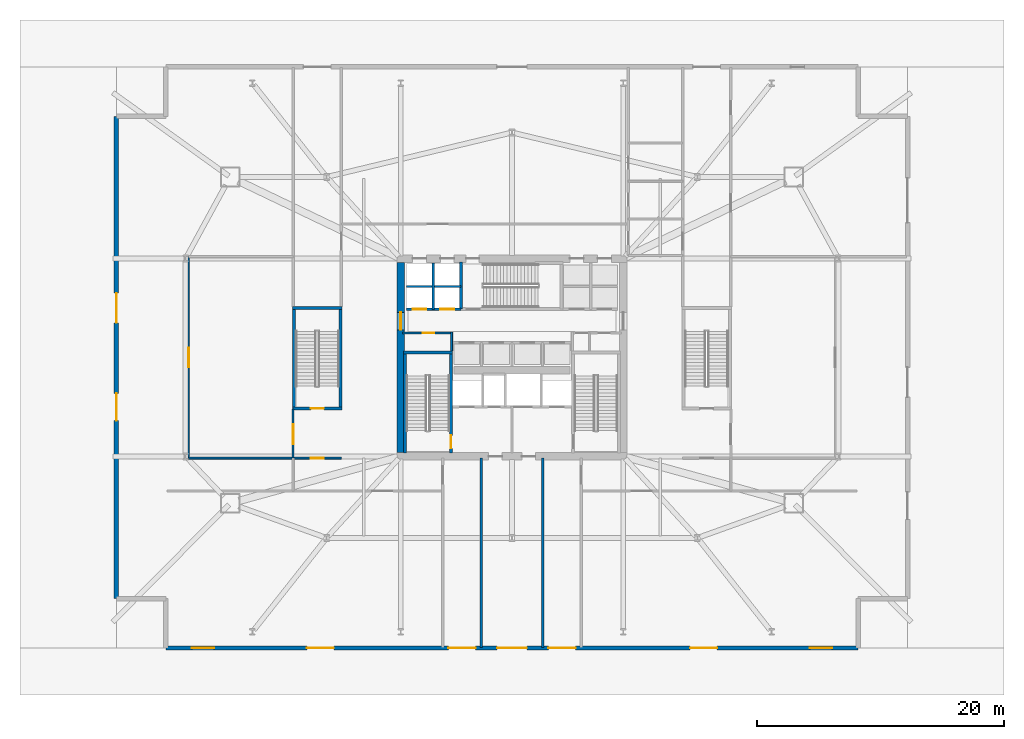
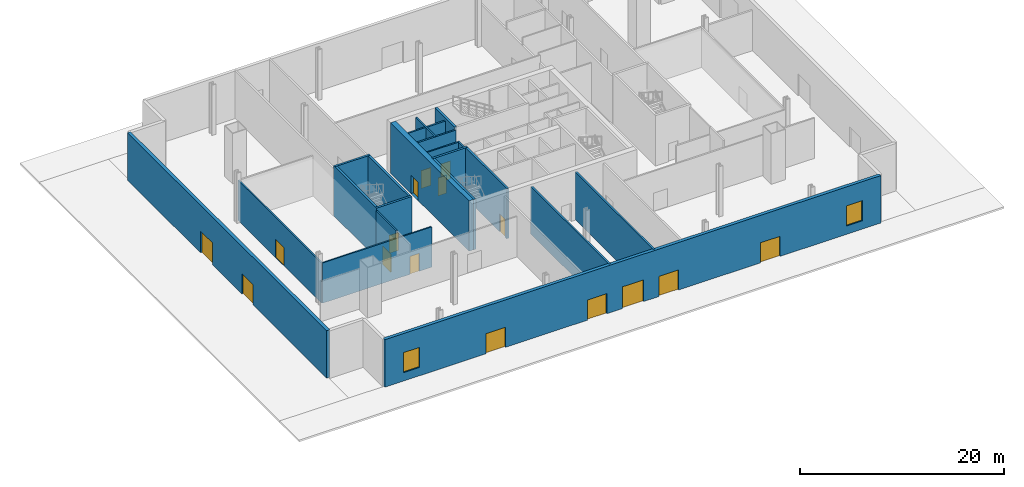
# One storey, part 3 of 10: 21 walls, 16 doors, 2 windows, 18 openings.
"""IFC4 building model written with IfcOpenShell, lengths in metres."""

from ifc_helpers import new_model, si_unit, direction, frame, frame_2d, origin, place, context, subcontext, project, spatial, rectangle, extrude, material, layer, layer_set, type_object, element, fill, save


model = new_model("IFC4")

# Units and contexts
model_context = context("Model", 3, precision=1e-05, world=origin(), true_north=direction((0.0, 1.0)))
body_context = subcontext(model_context, "Body", "Model", "MODEL_VIEW")
ifc_project = project(units=[si_unit("LENGTHUNIT", "METRE"), si_unit("AREAUNIT", "SQUARE_METRE"), si_unit("VOLUMEUNIT", "CUBIC_METRE"), si_unit("PLANEANGLEUNIT", "RADIAN"), si_unit("MASSUNIT", "GRAM", prefix="KILO")], contexts=[model_context])

# Site, building, storey
site_placement = place(None, origin())
site = spatial("IfcSite", under=ifc_project, at=site_placement, CompositionType="ELEMENT")
building_placement = place(site_placement, origin())
building = spatial("IfcBuilding", under=site, at=building_placement, Name="Haldenkirk Collegiate Tower", CompositionType="ELEMENT")
storey_placement = place(building_placement, origin())
storey = spatial("IfcBuildingStorey", under=building, at=storey_placement, Name="L00", CompositionType="ELEMENT", Elevation=0.0)

# Wall, opening, door
ifc_material_1 = material(Name="Concrete f'c 70 MPa", Category="concrete")
ifc_layer_1 = layer(ifc_material_1, 0.60009765625)
ifc_layer_set_1 = layer_set([ifc_layer_1], Name="Concrete f'c 70 MPa")
wall_type_1 = type_object("IfcWallType", Name="WL-CORE-600", PredefinedType="SHEAR", material=ifc_layer_set_1)
wall_1_placement = place(storey_placement, frame((27.0, 18.300048828125, 0.0), z_axis=(0.0, 0.0, 1.0), x_axis=(0.0, 1.0, 0.0)))
wall_1 = element("IfcWall", 1, at=wall_1_placement, inside=storey, type_object=wall_type_1, Name="L00 central core shear wall W", PredefinedType="SHEAR", context=body_context, shape_type="SweptSolid", body=[
    extrude(rectangle(XDim=15.39990234375, YDim=0.60009765625, at=frame_2d((7.699951171875, 0.0))), origin(), (0.0, 0.0, 1.0), 6.0),
])
opening_1_placement = place(wall_1_placement, frame((9.93994140625, 0.0, 0.0)))
opening_1 = element("IfcOpeningElement", 2, at=opening_1_placement, cuts=wall_1, Name="Opening D-03", PredefinedType="OPENING", context=body_context, shape_type="SweptSolid", body=[
    extrude(rectangle(XDim=1.39990234375, YDim=2.199951171875, at=frame_2d((0.699951171875, 1.10009765625))), frame((0.0, 0.31005859375, 0.0), z_axis=(0.0, -1.0, 0.0), x_axis=(1.0, 0.0, 0.0)), (0.0, 0.0, 1.0), 0.6201171875),
])
ifc_material_2 = material(Name="Galvanized fire-rated hollow steel door", Category="steel")
ifc_layer_2 = layer(ifc_material_2, 0.06005859375)
ifc_layer_set_2 = layer_set([ifc_layer_2], Name="Galvanized fire-rated hollow steel door")
door_type_1 = type_object("IfcDoorType", Name="DR-LOBBY-FD90-1400", OperationType="NOTDEFINED", PredefinedType="DOOR", material=ifc_layer_set_2)
door_1_placement = place(opening_1_placement, origin())
door_1 = element("IfcDoor", 3, at=door_1_placement, inside=storey, type_object=door_type_1, Name="L00 west lift lobby portal", OperationType="DOUBLE_DOOR_SINGLE_SWING", OverallHeight=2.199951171875, OverallWidth=1.39990234375, PredefinedType="DOOR", context=body_context, shape_type="SweptSolid", body=[
    extrude(rectangle(XDim=1.39990234375, YDim=2.199951171875, at=frame_2d((0.699951171875, 1.10009765625))), frame((0.0, 0.02490234375, 0.0), z_axis=(0.0, -1.0, 0.0), x_axis=(1.0, 0.0, 0.0)), (0.0, 0.0, 1.0), 0.050048828125),
])
fill(opening_1, door_1)

# Wall, openings, doors, windows
ifc_material_3 = material(Name="Precast concrete f'c 40 MPa", Category="concrete")
ifc_layer_3 = layer(ifc_material_3, 0.360107421875)
ifc_layer_set_3 = layer_set([ifc_layer_3], Name="Precast concrete f'c 40 MPa")
wall_type_2 = type_object("IfcWallType", Name="WL-EXT-POD-360", PredefinedType="STANDARD", material=ifc_layer_set_3)
wall_2_placement = place(storey_placement, frame((64.0, 2.5, 0.0), z_axis=(0.0, 0.0, 1.0), x_axis=(-1.0, 0.0, 0.0)))
wall_2 = element("IfcWall", 4, at=wall_2_placement, inside=storey, type_object=wall_type_2, Name="L00 podium bronze precast wall 01", PredefinedType="STANDARD", context=body_context, shape_type="SweptSolid", body=[
    extrude(rectangle(XDim=56.0, YDim=0.360107421875, at=frame_2d((28.0, 0.0))), origin(), (0.0, 0.0, 1.0), 5.669921875),
])
opening_2_placement = place(wall_2_placement, frame((30.949951171875, 0.0, 0.0)))
opening_2 = element("IfcOpeningElement", 5, at=opening_2_placement, cuts=wall_2, Name="Opening D-E01", PredefinedType="OPENING", context=body_context, shape_type="SweptSolid", body=[
    extrude(rectangle(XDim=2.199951171875, YDim=2.39990234375, at=frame_2d((1.10009765625, 1.199951171875))), frame((0.0, 0.18994140625, 0.0), z_axis=(0.0, -1.0, 0.0), x_axis=(1.0, 0.0, 0.0)), (0.0, 0.0, 1.0), 0.380126953125),
])
opening_3_placement = place(wall_2_placement, frame((22.85009765625, 0.0, 0.0)))
opening_3 = element("IfcOpeningElement", 6, at=opening_3_placement, cuts=wall_2, Name="Opening D-E02", PredefinedType="OPENING", context=body_context, shape_type="SweptSolid", body=[
    extrude(rectangle(XDim=2.199951171875, YDim=2.39990234375, at=frame_2d((1.10009765625, 1.199951171875))), frame((0.0, 0.18994140625, 0.0), z_axis=(0.0, -1.0, 0.0), x_axis=(1.0, 0.0, 0.0)), (0.0, 0.0, 1.0), 0.380126953125),
])
opening_4_placement = place(wall_2_placement, frame((42.39990234375, 0.0, 0.0)))
opening_4 = element("IfcOpeningElement", 7, at=opening_4_placement, cuts=wall_2, Name="Opening D-E06", PredefinedType="OPENING", context=body_context, shape_type="SweptSolid", body=[
    extrude(rectangle(XDim=2.199951171875, YDim=2.39990234375, at=frame_2d((1.10009765625, 1.199951171875))), frame((0.0, 0.18994140625, 0.0), z_axis=(0.0, -1.0, 0.0), x_axis=(1.0, 0.0, 0.0)), (0.0, 0.0, 1.0), 0.380126953125),
])
opening_5_placement = place(wall_2_placement, frame((11.39990234375, 0.0, 0.0)))
opening_5 = element("IfcOpeningElement", 8, at=opening_5_placement, cuts=wall_2, Name="Opening D-E07", PredefinedType="OPENING", context=body_context, shape_type="SweptSolid", body=[
    extrude(rectangle(XDim=2.199951171875, YDim=2.39990234375, at=frame_2d((1.10009765625, 1.199951171875))), frame((0.0, 0.18994140625, 0.0), z_axis=(0.0, -1.0, 0.0), x_axis=(1.0, 0.0, 0.0)), (0.0, 0.0, 1.0), 0.380126953125),
])
opening_6_placement = place(wall_2_placement, frame((26.800048828125, 0.0, 0.0)))
opening_6 = element("IfcOpeningElement", 9, at=opening_6_placement, cuts=wall_2, Name="Opening D-EN24", PredefinedType="OPENING", context=body_context, shape_type="SweptSolid", body=[
    extrude(rectangle(XDim=2.39990234375, YDim=2.60009765625, at=frame_2d((1.199951171875, 1.300048828125))), frame((0.0, 0.18994140625, 0.0), z_axis=(0.0, -1.0, 0.0), x_axis=(1.0, 0.0, 0.0)), (0.0, 0.0, 1.0), 0.380126953125),
])
opening_7_placement = place(wall_2_placement, frame((52.10009765625, 0.0, 1.0)))
opening_7 = element("IfcOpeningElement", 10, at=opening_7_placement, cuts=wall_2, Name="Opening W-01", PredefinedType="OPENING", context=body_context, shape_type="SweptSolid", body=[
    extrude(rectangle(XDim=1.800048828125, YDim=2.39990234375, at=frame_2d((0.89990234375, 1.199951171875))), frame((0.0, 0.18994140625, 0.0), z_axis=(0.0, -1.0, 0.0), x_axis=(1.0, 0.0, 0.0)), (0.0, 0.0, 1.0), 0.380126953125),
])
opening_8_placement = place(wall_2_placement, frame((2.10009765625, 0.0, 1.0)))
opening_8 = element("IfcOpeningElement", 11, at=opening_8_placement, cuts=wall_2, Name="Opening W-01", PredefinedType="OPENING", context=body_context, shape_type="SweptSolid", body=[
    extrude(rectangle(XDim=1.800048828125, YDim=2.39990234375, at=frame_2d((0.89990234375, 1.199951171875))), frame((0.0, 0.18994140625, 0.0), z_axis=(0.0, -1.0, 0.0), x_axis=(1.0, 0.0, 0.0)), (0.0, 0.0, 1.0), 0.380126953125),
])
ifc_material_4 = material(Name="Anodised architectural bronze aluminium", Category="aluminium")
ifc_layer_4 = layer(ifc_material_4, 0.080078125)
ifc_layer_set_4 = layer_set([ifc_layer_4], Name="Anodised architectural bronze aluminium")
door_type_2 = type_object("IfcDoorType", Name="DR-EXT-ENTR-2400", OperationType="NOTDEFINED", PredefinedType="DOOR", material=ifc_layer_set_4)
door_2_placement = place(opening_6_placement, origin())
door_2 = element("IfcDoor", 12, at=door_2_placement, inside=storey, type_object=door_type_2, Name="Ground south arrival vestibule entrance door", OperationType="DOUBLE_DOOR_SINGLE_SWING", OverallHeight=2.60009765625, OverallWidth=2.39990234375, PredefinedType="DOOR", context=body_context, shape_type="SweptSolid", body=[
    extrude(rectangle(XDim=2.39990234375, YDim=2.60009765625, at=frame_2d((1.199951171875, 1.300048828125))), frame((0.0, 0.02490234375, 0.0), z_axis=(0.0, -1.0, 0.0), x_axis=(1.0, 0.0, 0.0)), (0.0, 0.0, 1.0), 0.050048828125),
])
fill(opening_6, door_2)
ifc_layer_5 = layer(ifc_material_4, 0.080078125)
ifc_layer_set_5 = layer_set([ifc_layer_5], Name="Anodised architectural bronze aluminium")
door_type_3 = type_object("IfcDoorType", Name="DR-EXT-EXIT-2200", OperationType="NOTDEFINED", PredefinedType="DOOR", material=ifc_layer_set_5)
door_3_placement = place(opening_2_placement, origin())
door_3 = element("IfcDoor", 13, at=door_3_placement, inside=storey, type_object=door_type_3, Name="Ground final exit discharge door D-E01", OperationType="DOUBLE_DOOR_SINGLE_SWING", OverallHeight=2.39990234375, OverallWidth=2.199951171875, PredefinedType="DOOR", context=body_context, shape_type="SweptSolid", body=[
    extrude(rectangle(XDim=2.199951171875, YDim=2.39990234375, at=frame_2d((1.10009765625, 1.199951171875))), frame((0.0, 0.02490234375, 0.0), z_axis=(0.0, -1.0, 0.0), x_axis=(1.0, 0.0, 0.0)), (0.0, 0.0, 1.0), 0.050048828125),
])
fill(opening_2, door_3)
door_4_placement = place(opening_3_placement, origin())
door_4 = element("IfcDoor", 14, at=door_4_placement, inside=storey, type_object=door_type_3, Name="Ground final exit discharge door D-E02", OperationType="DOUBLE_DOOR_SINGLE_SWING", OverallHeight=2.39990234375, OverallWidth=2.199951171875, PredefinedType="DOOR", context=body_context, shape_type="SweptSolid", body=[
    extrude(rectangle(XDim=2.199951171875, YDim=2.39990234375, at=frame_2d((1.10009765625, 1.199951171875))), frame((0.0, 0.02490234375, 0.0), z_axis=(0.0, -1.0, 0.0), x_axis=(1.0, 0.0, 0.0)), (0.0, 0.0, 1.0), 0.050048828125),
])
fill(opening_3, door_4)
door_5_placement = place(opening_4_placement, origin())
door_5 = element("IfcDoor", 15, at=door_5_placement, inside=storey, type_object=door_type_3, Name="Ground final exit discharge door D-E06", OperationType="DOUBLE_DOOR_SINGLE_SWING", OverallHeight=2.39990234375, OverallWidth=2.199951171875, PredefinedType="DOOR", context=body_context, shape_type="SweptSolid", body=[
    extrude(rectangle(XDim=2.199951171875, YDim=2.39990234375, at=frame_2d((1.10009765625, 1.199951171875))), frame((0.0, 0.02490234375, 0.0), z_axis=(0.0, -1.0, 0.0), x_axis=(1.0, 0.0, 0.0)), (0.0, 0.0, 1.0), 0.050048828125),
])
fill(opening_4, door_5)
door_6_placement = place(opening_5_placement, origin())
door_6 = element("IfcDoor", 16, at=door_6_placement, inside=storey, type_object=door_type_3, Name="Ground final exit discharge door D-E07", OperationType="DOUBLE_DOOR_SINGLE_SWING", OverallHeight=2.39990234375, OverallWidth=2.199951171875, PredefinedType="DOOR", context=body_context, shape_type="SweptSolid", body=[
    extrude(rectangle(XDim=2.199951171875, YDim=2.39990234375, at=frame_2d((1.10009765625, 1.199951171875))), frame((0.0, 0.02490234375, 0.0), z_axis=(0.0, -1.0, 0.0), x_axis=(1.0, 0.0, 0.0)), (0.0, 0.0, 1.0), 0.050048828125),
])
fill(opening_5, door_6)
ifc_material_5 = material(Name="Low-E argon triple insulating glass", Category="glass")
ifc_layer_6 = layer(ifc_material_5, 0.090087890625)
ifc_layer_set_6 = layer_set([ifc_layer_6], Name="Low-E argon triple insulating glass")
window_type = type_object("IfcWindowType", Name="WN-POD-1800X2400", PartitioningType="SINGLE_PANEL", PredefinedType="WINDOW", material=ifc_layer_set_6)
window_1_placement = place(opening_7_placement, origin())
window_1 = element("IfcWindow", 17, at=window_1_placement, inside=storey, type_object=window_type, Name="L00 south academic window 1", OverallHeight=2.39990234375, OverallWidth=1.800048828125, PartitioningType="SINGLE_PANEL", PredefinedType="WINDOW", context=body_context, shape_type="SweptSolid", body=[
    extrude(rectangle(XDim=1.800048828125, YDim=2.39990234375, at=frame_2d((0.89990234375, 1.199951171875))), frame((0.0, 0.030029296875, 0.0), z_axis=(0.0, -1.0, 0.0), x_axis=(1.0, 0.0, 0.0)), (0.0, 0.0, 1.0), 0.06005859375),
])
fill(opening_7, window_1)
window_2_placement = place(opening_8_placement, origin())
window_2 = element("IfcWindow", 18, at=window_2_placement, inside=storey, type_object=window_type, Name="L00 south academic window 2", OverallHeight=2.39990234375, OverallWidth=1.800048828125, PartitioningType="SINGLE_PANEL", PredefinedType="WINDOW", context=body_context, shape_type="SweptSolid", body=[
    extrude(rectangle(XDim=1.800048828125, YDim=2.39990234375, at=frame_2d((0.89990234375, 1.199951171875))), frame((0.0, 0.030029296875, 0.0), z_axis=(0.0, -1.0, 0.0), x_axis=(1.0, 0.0, 0.0)), (0.0, 0.0, 1.0), 0.06005859375),
])
fill(opening_8, window_2)

# Wall, openings, doors
wall_3_placement = place(storey_placement, frame((4.0, 6.5, 0.0), z_axis=(0.0, 0.0, 1.0), x_axis=(0.0, 1.0, 0.0)))
wall_3 = element("IfcWall", 19, at=wall_3_placement, inside=storey, type_object=wall_type_2, Name="L00 podium bronze precast wall 10", PredefinedType="STANDARD", context=body_context, shape_type="SweptSolid", body=[
    extrude(rectangle(XDim=39.0, YDim=0.360107421875, at=frame_2d((19.5, 0.0))), origin(), (0.0, 0.0, 1.0), 5.669921875),
])
opening_9_placement = place(wall_3_placement, frame((14.39990234375, 0.0, 0.0)))
opening_9 = element("IfcOpeningElement", 20, at=opening_9_placement, cuts=wall_3, Name="Opening D-E04", PredefinedType="OPENING", context=body_context, shape_type="SweptSolid", body=[
    extrude(rectangle(XDim=2.199951171875, YDim=2.39990234375, at=frame_2d((1.10009765625, 1.199951171875))), frame((0.0, 0.18994140625, 0.0), z_axis=(0.0, -1.0, 0.0), x_axis=(1.0, 0.0, 0.0)), (0.0, 0.0, 1.0), 0.380126953125),
])
opening_10_placement = place(wall_3_placement, frame((22.300048828125, 0.0, 0.0)))
opening_10 = element("IfcOpeningElement", 21, at=opening_10_placement, cuts=wall_3, Name="Opening D-EN24", PredefinedType="OPENING", context=body_context, shape_type="SweptSolid", body=[
    extrude(rectangle(XDim=2.39990234375, YDim=2.60009765625, at=frame_2d((1.199951171875, 1.300048828125))), frame((0.0, 0.18994140625, 0.0), z_axis=(0.0, -1.0, 0.0), x_axis=(1.0, 0.0, 0.0)), (0.0, 0.0, 1.0), 0.380126953125),
])
door_7_placement = place(opening_10_placement, origin())
door_7 = element("IfcDoor", 22, at=door_7_placement, inside=storey, type_object=door_type_2, Name="Ground west campus promenade entrance door", OperationType="DOUBLE_DOOR_SINGLE_SWING", OverallHeight=2.60009765625, OverallWidth=2.39990234375, PredefinedType="DOOR", context=body_context, shape_type="SweptSolid", body=[
    extrude(rectangle(XDim=2.39990234375, YDim=2.60009765625, at=frame_2d((1.199951171875, 1.300048828125))), frame((0.0, 0.02490234375, 0.0), z_axis=(0.0, -1.0, 0.0), x_axis=(1.0, 0.0, 0.0)), (0.0, 0.0, 1.0), 0.050048828125),
])
fill(opening_10, door_7)
door_8_placement = place(opening_9_placement, origin())
door_8 = element("IfcDoor", 23, at=door_8_placement, inside=storey, type_object=door_type_3, Name="Ground final exit discharge door D-E04", OperationType="DOUBLE_DOOR_SINGLE_SWING", OverallHeight=2.39990234375, OverallWidth=2.199951171875, PredefinedType="DOOR", context=body_context, shape_type="SweptSolid", body=[
    extrude(rectangle(XDim=2.199951171875, YDim=2.39990234375, at=frame_2d((1.10009765625, 1.199951171875))), frame((0.0, 0.02490234375, 0.0), z_axis=(0.0, -1.0, 0.0), x_axis=(1.0, 0.0, 0.0)), (0.0, 0.0, 1.0), 0.050048828125),
])
fill(opening_9, door_8)

# Wall, opening, door
ifc_material_6 = material(Name="Acoustic fire-rated gypsum partition", Category="concrete")
ifc_layer_7 = layer(ifc_material_6, 0.159912109375)
ifc_layer_set_7 = layer_set([ifc_layer_7], Name="Acoustic fire-rated gypsum partition")
wall_type_3 = type_object("IfcWallType", Name="WL-INT-CORR-160", PredefinedType="PARTITIONING", material=ifc_layer_set_7)
wall_4_placement = place(storey_placement, frame((27.14990234375, 27.97998046875, 0.0), z_axis=(0.0, 0.0, 1.0), x_axis=(1.0, 0.0, 0.0)))
wall_4 = element("IfcWall", 24, at=wall_4_placement, inside=storey, type_object=wall_type_3, Name="L00 interior partition IW-L00-VCSW-N", PredefinedType="PARTITIONING", context=body_context, shape_type="SweptSolid", body=[
    extrude(rectangle(XDim=4.050048828125, YDim=0.159912109375, at=frame_2d((2.02490234375, 0.0))), origin(), (0.0, 0.0, 1.0), 5.669921875),
])
opening_11_placement = place(wall_4_placement, frame((1.625, 0.0, 0.0)))
opening_11 = element("IfcOpeningElement", 25, at=opening_11_placement, cuts=wall_4, Name="Opening D-10", PredefinedType="OPENING", context=body_context, shape_type="SweptSolid", body=[
    extrude(rectangle(XDim=0.949951171875, YDim=2.14990234375, at=frame_2d((0.47509765625, 1.074951171875))), frame((0.0, 0.08984375, 0.0), z_axis=(0.0, -1.0, 0.0), x_axis=(1.0, 0.0, 0.0)), (0.0, 0.0, 1.0), 0.179931640625),
])
ifc_material_7 = material(Name="Solid-core architectural oak fire door", Category="wood")
ifc_layer_8 = layer(ifc_material_7, 0.06005859375)
ifc_layer_set_8 = layer_set([ifc_layer_8], Name="Solid-core architectural oak fire door")
door_type_4 = type_object("IfcDoorType", Name="DR-INT-FD60-950", OperationType="NOTDEFINED", PredefinedType="DOOR", material=ifc_layer_set_8)
door_9_placement = place(opening_11_placement, origin())
door_9 = element("IfcDoor", 26, at=door_9_placement, inside=storey, type_object=door_type_4, Name="L00 core tea pantry door", OperationType="SINGLE_SWING_LEFT", OverallHeight=2.14990234375, OverallWidth=0.949951171875, PredefinedType="DOOR", context=body_context, shape_type="SweptSolid", body=[
    extrude(rectangle(XDim=0.949951171875, YDim=2.14990234375, at=frame_2d((0.47509765625, 1.074951171875))), frame((0.0, 0.02490234375, 0.0), z_axis=(0.0, -1.0, 0.0), x_axis=(1.0, 0.0, 0.0)), (0.0, 0.0, 1.0), 0.050048828125),
])
fill(opening_11, door_9)

# Wall
wall_5_placement = place(storey_placement, frame((31.1201171875, 26.5400390625, 0.0), z_axis=(0.0, 0.0, 1.0), x_axis=(0.0, 1.0, 0.0)))
element("IfcWall", 27, at=wall_5_placement, inside=storey, type_object=wall_type_3, Name="L00 interior partition IW-L00-VCSW-E", PredefinedType="PARTITIONING", context=body_context, shape_type="SweptSolid", body=[
    extrude(rectangle(XDim=1.510009765625, YDim=0.159912109375, at=frame_2d((0.7548828125, 0.0))), origin(), (0.0, 0.0, 1.0), 5.669921875),
])

# Wall, opening, door
wall_6_placement = place(storey_placement, frame((18.300048828125, 17.85009765625, 0.0), z_axis=(0.0, 0.0, 1.0), x_axis=(0.0, 1.0, 0.0)))
wall_6 = element("IfcWall", 28, at=wall_6_placement, inside=storey, type_object=wall_type_3, Name="L00 interior partition IW-L00-LT1E", PredefinedType="PARTITIONING", context=body_context, shape_type="SweptSolid", body=[
    extrude(rectangle(XDim=3.969970703125, YDim=0.159912109375, at=frame_2d((1.98486328125, 0.0))), origin(), (0.0, 0.0, 1.0), 5.669921875),
])
opening_12_placement = place(wall_6_placement, frame((1.14990234375, 0.0, 0.0)))
opening_12 = element("IfcOpeningElement", 29, at=opening_12_placement, cuts=wall_6, Name="Opening D-08", PredefinedType="OPENING", context=body_context, shape_type="SweptSolid", body=[
    extrude(rectangle(XDim=1.60009765625, YDim=2.199951171875, at=frame_2d((0.800048828125, 1.10009765625))), frame((0.0, 0.08984375, 0.0), z_axis=(0.0, -1.0, 0.0), x_axis=(1.0, 0.0, 0.0)), (0.0, 0.0, 1.0), 0.179931640625),
])
ifc_layer_9 = layer(ifc_material_7, 0.06005859375)
ifc_layer_set_9 = layer_set([ifc_layer_9], Name="Solid-core architectural oak fire door")
door_type_5 = type_object("IfcDoorType", Name="DR-DBL-FD60-1600", OperationType="NOTDEFINED", PredefinedType="DOOR", material=ifc_layer_set_9)
door_10_placement = place(opening_12_placement, origin())
door_10 = element("IfcDoor", 30, at=door_10_placement, inside=storey, type_object=door_type_5, Name="LT-01 main double door", OperationType="DOUBLE_DOOR_SINGLE_SWING", OverallHeight=2.199951171875, OverallWidth=1.60009765625, PredefinedType="DOOR", context=body_context, shape_type="SweptSolid", body=[
    extrude(rectangle(XDim=1.60009765625, YDim=2.199951171875, at=frame_2d((0.800048828125, 1.10009765625))), frame((0.0, 0.02490234375, 0.0), z_axis=(0.0, -1.0, 0.0), x_axis=(1.0, 0.0, 0.0)), (0.0, 0.0, 1.0), 0.050048828125),
])
fill(opening_12, door_10)

wall_7_placement = place(storey_placement, frame((9.85009765625, 17.85009765625, 0.0), z_axis=(0.0, 0.0, 1.0), x_axis=(1.0, 0.0, 0.0)))
wall_7 = element("IfcWall", 31, at=wall_7_placement, inside=storey, type_object=wall_type_3, Name="L00 interior partition IW-L00-LT1S", PredefinedType="PARTITIONING", context=body_context, shape_type="SweptSolid", body=[
    extrude(rectangle(XDim=12.349853515625, YDim=0.159912109375, at=frame_2d((6.1748046875, 0.0))), origin(), (0.0, 0.0, 1.0), 4.802978515625),
])
opening_13_placement = place(wall_7_placement, frame((9.875, 0.0, 0.0)))
opening_13 = element("IfcOpeningElement", 32, at=opening_13_placement, cuts=wall_7, Name="Opening D-01", PredefinedType="OPENING", context=body_context, shape_type="SweptSolid", body=[
    extrude(rectangle(XDim=1.050048828125, YDim=2.14990234375, at=frame_2d((0.52490234375, 1.074951171875))), frame((0.0, 0.08984375, 0.0), z_axis=(0.0, -1.0, 0.0), x_axis=(1.0, 0.0, 0.0)), (0.0, 0.0, 1.0), 0.179931640625),
])
ifc_layer_10 = layer(ifc_material_2, 0.06005859375)
ifc_layer_set_10 = layer_set([ifc_layer_10], Name="Galvanized fire-rated hollow steel door")
door_type_6 = type_object("IfcDoorType", Name="DR-STAIR-FD90-1050", OperationType="NOTDEFINED", PredefinedType="DOOR", material=ifc_layer_set_10)
door_11_placement = place(opening_13_placement, origin())
door_11 = element("IfcDoor", 33, at=door_11_placement, inside=storey, type_object=door_type_6, Name="L00 Stair 4 exit vestibule door", OperationType="SINGLE_SWING_LEFT", OverallHeight=2.14990234375, OverallWidth=1.050048828125, PredefinedType="DOOR", context=body_context, shape_type="SweptSolid", body=[
    extrude(rectangle(XDim=1.050048828125, YDim=2.14990234375, at=frame_2d((0.52490234375, 1.074951171875))), frame((0.0, 0.02490234375, 0.0), z_axis=(0.0, -1.0, 0.0), x_axis=(1.0, 0.0, 0.0)), (0.0, 0.0, 1.0), 0.050048828125),
])
fill(opening_13, door_11)

wall_8_placement = place(storey_placement, frame((9.85009765625, 17.85009765625, 0.0), z_axis=(0.0, 0.0, 1.0), x_axis=(0.0, 1.0, 0.0)))
wall_8 = element("IfcWall", 34, at=wall_8_placement, inside=storey, type_object=wall_type_3, Name="L00 interior partition IW-L00-LT1W", PredefinedType="PARTITIONING", context=body_context, shape_type="SweptSolid", body=[
    extrude(rectangle(XDim=16.2998046875, YDim=0.159912109375, at=frame_2d((8.14990234375, 0.0))), origin(), (0.0, 0.0, 1.0), 4.802978515625),
])
opening_14_placement = place(wall_8_placement, frame((7.35009765625, 0.0, 0.0)))
opening_14 = element("IfcOpeningElement", 35, at=opening_14_placement, cuts=wall_8, Name="Opening D-08", PredefinedType="OPENING", context=body_context, shape_type="SweptSolid", body=[
    extrude(rectangle(XDim=1.60009765625, YDim=2.199951171875, at=frame_2d((0.800048828125, 1.10009765625))), frame((0.0, 0.08984375, 0.0), z_axis=(0.0, -1.0, 0.0), x_axis=(1.0, 0.0, 0.0)), (0.0, 0.0, 1.0), 0.179931640625),
])
door_12_placement = place(opening_14_placement, origin())
door_12 = element("IfcDoor", 36, at=door_12_placement, inside=storey, type_object=door_type_5, Name="LT-01 west exit door", OperationType="DOUBLE_DOOR_SINGLE_SWING", OverallHeight=2.199951171875, OverallWidth=1.60009765625, PredefinedType="DOOR", context=body_context, shape_type="SweptSolid", body=[
    extrude(rectangle(XDim=1.60009765625, YDim=2.199951171875, at=frame_2d((0.800048828125, 1.10009765625))), frame((0.0, 0.02490234375, 0.0), z_axis=(0.0, -1.0, 0.0), x_axis=(1.0, 0.0, 0.0)), (0.0, 0.0, 1.0), 0.050048828125),
])
fill(opening_14, door_12)

# Wall, openings, doors
ifc_material_8 = material(Name="Fire-rated gypsum shaftboard assembly", Category="concrete")
ifc_layer_11 = layer(ifc_material_8, 0.179931640625)
ifc_layer_set_11 = layer_set([ifc_layer_11], Name="Fire-rated gypsum shaftboard assembly")
wall_type_4 = type_object("IfcWallType", Name="WL-INT-SHAFT-180", PredefinedType="PARTITIONING", material=ifc_layer_set_11)
wall_9_placement = place(storey_placement, frame((27.449951171875, 29.89990234375, 0.0), z_axis=(0.0, 0.0, 1.0), x_axis=(1.0, 0.0, 0.0)))
wall_9 = element("IfcWall", 37, at=wall_9_placement, inside=storey, type_object=wall_type_4, Name="L00 interior partition IW-L00-PLS", PredefinedType="PARTITIONING", context=body_context, shape_type="SweptSolid", body=[
    extrude(rectangle(XDim=4.429931640625, YDim=0.179931640625, at=frame_2d((2.21484375, 0.0))), origin(), (0.0, 0.0, 1.0), 5.669921875),
])
opening_15_placement = place(wall_9_placement, frame((0.514892578125, 0.0, 0.0)))
opening_15 = element("IfcOpeningElement", 38, at=opening_15_placement, cuts=wall_9, Name="Opening LD-11", PredefinedType="OPENING", context=body_context, shape_type="SweptSolid", body=[
    extrude(rectangle(XDim=1.10009765625, YDim=2.14990234375, at=frame_2d((0.550048828125, 1.074951171875))), frame((0.0, 0.099853515625, 0.0), z_axis=(0.0, -1.0, 0.0), x_axis=(1.0, 0.0, 0.0)), (0.0, 0.0, 1.0), 0.199951171875),
])
opening_16_placement = place(wall_9_placement, frame((2.764892578125, 0.0, 0.0)))
opening_16 = element("IfcOpeningElement", 39, at=opening_16_placement, cuts=wall_9, Name="Opening LD-11", PredefinedType="OPENING", context=body_context, shape_type="SweptSolid", body=[
    extrude(rectangle(XDim=1.10009765625, YDim=2.14990234375, at=frame_2d((0.550048828125, 1.074951171875))), frame((0.0, 0.099853515625, 0.0), z_axis=(0.0, -1.0, 0.0), x_axis=(1.0, 0.0, 0.0)), (0.0, 0.0, 1.0), 0.199951171875),
])
ifc_material_9 = material(Name="Brushed architectural stainless steel", Category="steel")
ifc_layer_12 = layer(ifc_material_9, 0.06005859375)
ifc_layer_set_12 = layer_set([ifc_layer_12], Name="Brushed architectural stainless steel")
door_type_7 = type_object("IfcDoorType", Name="LD-PASS-1100", OperationType="NOTDEFINED", PredefinedType="DOOR", material=ifc_layer_set_12)
door_13_placement = place(opening_15_placement, origin())
door_13 = element("IfcDoor", 40, at=door_13_placement, inside=storey, type_object=door_type_7, Name="L00 Elevator PL1 sliding landing door", OperationType="SLIDING_TO_LEFT", OverallHeight=2.14990234375, OverallWidth=1.10009765625, PredefinedType="DOOR", context=body_context, shape_type="SweptSolid", body=[
    extrude(rectangle(XDim=1.10009765625, YDim=2.14990234375, at=frame_2d((0.550048828125, 1.074951171875))), frame((0.0, 0.02490234375, 0.0), z_axis=(0.0, -1.0, 0.0), x_axis=(1.0, 0.0, 0.0)), (0.0, 0.0, 1.0), 0.050048828125),
])
fill(opening_15, door_13)
door_14_placement = place(opening_16_placement, origin())
door_14 = element("IfcDoor", 41, at=door_14_placement, inside=storey, type_object=door_type_7, Name="L00 Elevator PL2 sliding landing door", OperationType="SLIDING_TO_LEFT", OverallHeight=2.14990234375, OverallWidth=1.10009765625, PredefinedType="DOOR", context=body_context, shape_type="SweptSolid", body=[
    extrude(rectangle(XDim=1.10009765625, YDim=2.14990234375, at=frame_2d((0.550048828125, 1.074951171875))), frame((0.0, 0.02490234375, 0.0), z_axis=(0.0, -1.0, 0.0), x_axis=(1.0, 0.0, 0.0)), (0.0, 0.0, 1.0), 0.050048828125),
])
fill(opening_16, door_14)

# Walls
wall_10_placement = place(storey_placement, frame((27.449951171875, 31.75, 0.0), z_axis=(0.0, 0.0, 1.0), x_axis=(1.0, 0.0, 0.0)))
element("IfcWall", 42, at=wall_10_placement, inside=storey, type_object=wall_type_4, Name="L00 interior partition IW-L00-PLM", PredefinedType="PARTITIONING", context=body_context, shape_type="SweptSolid", body=[
    extrude(rectangle(XDim=4.429931640625, YDim=0.179931640625, at=frame_2d((2.21484375, 0.0))), origin(), (0.0, 0.0, 1.0), 5.669921875),
])
wall_11_placement = place(storey_placement, frame((29.6298828125, 29.89990234375, 0.0), z_axis=(0.0, 0.0, 1.0), x_axis=(0.0, 1.0, 0.0)))
element("IfcWall", 43, at=wall_11_placement, inside=storey, type_object=wall_type_4, Name="L00 interior partition IW-L00-PLV", PredefinedType="PARTITIONING", context=body_context, shape_type="SweptSolid", body=[
    extrude(rectangle(XDim=3.75, YDim=0.179931640625, at=frame_2d((1.875, 0.0))), origin(), (0.0, 0.0, 1.0), 5.669921875),
])
ifc_layer_13 = layer(ifc_material_8, 0.199951171875)
ifc_layer_set_13 = layer_set([ifc_layer_13], Name="Fire-rated gypsum shaftboard assembly")
wall_type_5 = type_object("IfcWallType", Name="WL-INT-SHAFT-200", PredefinedType="PARTITIONING", material=ifc_layer_set_13)
for number, where, z_axis, x_axis, name in (
    (44, (33.5, 2.550048828125, 0.0), (0.0, 0.0, 1.0), (0.0, 1.0, 0.0), "L00 interior partition IW-L00-EP1E"),
    (45, (38.5, 2.550048828125, 0.0), (0.0, 0.0, 1.0), (0.0, 1.0, 0.0), "L00 interior partition IW-L00-EP2W"),
):
    element("IfcWall", number, at=place(storey_placement, frame(where, z_axis=z_axis, x_axis=x_axis)), inside=storey, type_object=wall_type_5, Name=name, PredefinedType="PARTITIONING", context=body_context, shape_type="SweptSolid", body=[
        extrude(rectangle(XDim=15.300048828125, YDim=0.199951171875, at=frame_2d((7.64990234375, 0.0))), origin(), (0.0, 0.0, 1.0), 5.669921875),
    ])

# Wall, opening, door
ifc_material_10 = material(Name="Concrete f'c 55 MPa", Category="concrete")
ifc_layer_14 = layer(ifc_material_10, 0.239990234375)
ifc_layer_set_14 = layer_set([ifc_layer_14], Name="Concrete f'c 55 MPa")
wall_type_6 = type_object("IfcWallType", Name="WL-SHAFT-240", PredefinedType="SHEAR", material=ifc_layer_set_14)
wall_12_placement = place(storey_placement, frame((31.070068359375, 18.280029296875, 0.0), z_axis=(0.0, 0.0, 1.0), x_axis=(0.0, 1.0, 0.0)))
wall_12 = element("IfcWall", 46, at=wall_12_placement, inside=storey, type_object=wall_type_6, Name="L00 stair shaft shear wall SW-L00-ST1E", PredefinedType="SHEAR", context=body_context, shape_type="SweptSolid", body=[
    extrude(rectangle(XDim=8.260009765625, YDim=0.239990234375, at=frame_2d((4.1298828125, 0.0))), origin(), (0.0, 0.0, 1.0), 6.0),
])
opening_17_placement = place(wall_12_placement, frame((0.364990234375, 0.0, 0.0)))
opening_17 = element("IfcOpeningElement", 47, at=opening_17_placement, cuts=wall_12, Name="Opening D-01", PredefinedType="OPENING", context=body_context, shape_type="SweptSolid", body=[
    extrude(rectangle(XDim=1.050048828125, YDim=2.14990234375, at=frame_2d((0.52490234375, 1.074951171875))), frame((0.0, 0.1298828125, 0.0), z_axis=(0.0, -1.0, 0.0), x_axis=(1.0, 0.0, 0.0)), (0.0, 0.0, 1.0), 0.260009765625),
])
door_15_placement = place(opening_17_placement, origin())
door_15 = element("IfcDoor", 48, at=door_15_placement, inside=storey, type_object=door_type_6, Name="L00 Stair 1 door", OperationType="SINGLE_SWING_LEFT", OverallHeight=2.14990234375, OverallWidth=1.050048828125, PredefinedType="DOOR", context=body_context, shape_type="SweptSolid", body=[
    extrude(rectangle(XDim=1.050048828125, YDim=2.14990234375, at=frame_2d((0.52490234375, 1.074951171875))), frame((0.0, 0.02490234375, 0.0), z_axis=(0.0, -1.0, 0.0), x_axis=(1.0, 0.0, 0.0)), (0.0, 0.0, 1.0), 0.050048828125),
])
fill(opening_17, door_15)

# Walls
wall_13_placement = place(storey_placement, frame((27.2099609375, 26.419921875, 0.0), z_axis=(0.0, 0.0, 1.0), x_axis=(1.0, 0.0, 0.0)))
element("IfcWall", 49, at=wall_13_placement, inside=storey, type_object=wall_type_6, Name="L00 stair shaft shear wall SW-L00-ST1N", PredefinedType="SHEAR", context=body_context, shape_type="SweptSolid", body=[
    extrude(rectangle(XDim=3.97998046875, YDim=0.239990234375, at=frame_2d((1.989990234375, 0.0))), origin(), (0.0, 0.0, 1.0), 6.0),
])
wall_14_placement = place(storey_placement, frame((27.330078125, 18.280029296875, 0.0), z_axis=(0.0, 0.0, 1.0), x_axis=(0.0, 1.0, 0.0)))
element("IfcWall", 50, at=wall_14_placement, inside=storey, type_object=wall_type_6, Name="L00 stair shaft shear wall SW-L00-ST1W", PredefinedType="SHEAR", context=body_context, shape_type="SweptSolid", body=[
    extrude(rectangle(XDim=8.260009765625, YDim=0.239990234375, at=frame_2d((4.1298828125, 0.0))), origin(), (0.0, 0.0, 1.0), 6.0),
])
wall_15_placement = place(storey_placement, frame((31.8798828125, 29.929931640625, 0.0), z_axis=(0.0, 0.0, 1.0), x_axis=(0.0, 1.0, 0.0)))
element("IfcWall", 51, at=wall_15_placement, inside=storey, type_object=wall_type_6, Name="L00 stair shaft shear wall SW-L00-ST3W", PredefinedType="SHEAR", context=body_context, shape_type="SweptSolid", body=[
    extrude(rectangle(XDim=3.7900390625, YDim=0.239990234375, at=frame_2d((1.89501953125, 0.0))), origin(), (0.0, 0.0, 1.0), 6.0),
])
for number, where, z_axis, x_axis, name in (
    (52, (18.3798828125, 21.760009765625, 0.0), (0.0, 0.0, 1.0), (0.0, 1.0, 0.0), "L00 stair shaft shear wall SW-L00-ST4W"),
    (53, (22.1201171875, 21.760009765625, 0.0), (0.0, 0.0, 1.0), (0.0, 1.0, 0.0), "L00 stair shaft shear wall SW-L00-ST4E"),
):
    element("IfcWall", number, at=place(storey_placement, frame(where, z_axis=z_axis, x_axis=x_axis)), inside=storey, type_object=wall_type_6, Name=name, PredefinedType="SHEAR", context=body_context, shape_type="SweptSolid", body=[
        extrude(rectangle(XDim=8.3798828125, YDim=0.239990234375, at=frame_2d((4.18994140625, 0.0))), origin(), (0.0, 0.0, 1.0), 6.0),
    ])

# Wall, opening, door
wall_16_placement = place(storey_placement, frame((18.260009765625, 21.8798828125, 0.0), z_axis=(0.0, 0.0, 1.0), x_axis=(1.0, 0.0, 0.0)))
wall_16 = element("IfcWall", 54, at=wall_16_placement, inside=storey, type_object=wall_type_6, Name="L00 stair shaft shear wall SW-L00-ST4S", PredefinedType="SHEAR", context=body_context, shape_type="SweptSolid", body=[
    extrude(rectangle(XDim=3.97998046875, YDim=0.239990234375, at=frame_2d((1.989990234375, 0.0))), origin(), (0.0, 0.0, 1.0), 6.0),
])
opening_18_placement = place(wall_16_placement, frame((1.465087890625, 0.0, 0.0)))
opening_18 = element("IfcOpeningElement", 55, at=opening_18_placement, cuts=wall_16, Name="Opening D-01", PredefinedType="OPENING", context=body_context, shape_type="SweptSolid", body=[
    extrude(rectangle(XDim=1.050048828125, YDim=2.14990234375, at=frame_2d((0.52490234375, 1.074951171875))), frame((0.0, 0.1298828125, 0.0), z_axis=(0.0, -1.0, 0.0), x_axis=(1.0, 0.0, 0.0)), (0.0, 0.0, 1.0), 0.260009765625),
])
door_16_placement = place(opening_18_placement, origin())
door_16 = element("IfcDoor", 56, at=door_16_placement, inside=storey, type_object=door_type_6, Name="L00 Stair 4 discharge door", OperationType="SINGLE_SWING_LEFT", OverallHeight=2.14990234375, OverallWidth=1.050048828125, PredefinedType="DOOR", context=body_context, shape_type="SweptSolid", body=[
    extrude(rectangle(XDim=1.050048828125, YDim=2.14990234375, at=frame_2d((0.52490234375, 1.074951171875))), frame((0.0, 0.02490234375, 0.0), z_axis=(0.0, -1.0, 0.0), x_axis=(1.0, 0.0, 0.0)), (0.0, 0.0, 1.0), 0.050048828125),
])
fill(opening_18, door_16)

# Wall
wall_17_placement = place(storey_placement, frame((18.260009765625, 30.02001953125, 0.0), z_axis=(0.0, 0.0, 1.0), x_axis=(1.0, 0.0, 0.0)))
element("IfcWall", 57, at=wall_17_placement, inside=storey, type_object=wall_type_6, Name="L00 stair shaft shear wall SW-L00-ST4N", PredefinedType="SHEAR", context=body_context, shape_type="SweptSolid", body=[
    extrude(rectangle(XDim=3.97998046875, YDim=0.239990234375, at=frame_2d((1.989990234375, 0.0))), origin(), (0.0, 0.0, 1.0), 6.0),
])

save(model, "model.ifc")
